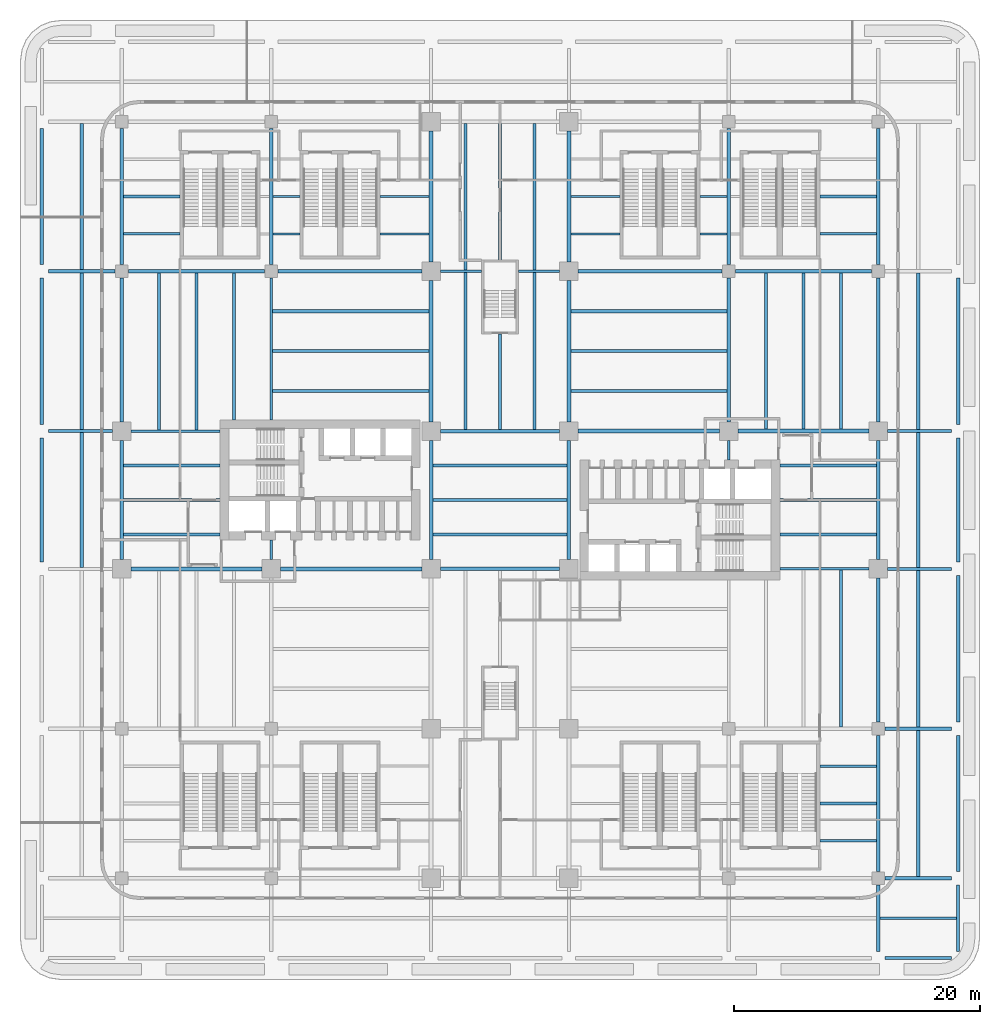
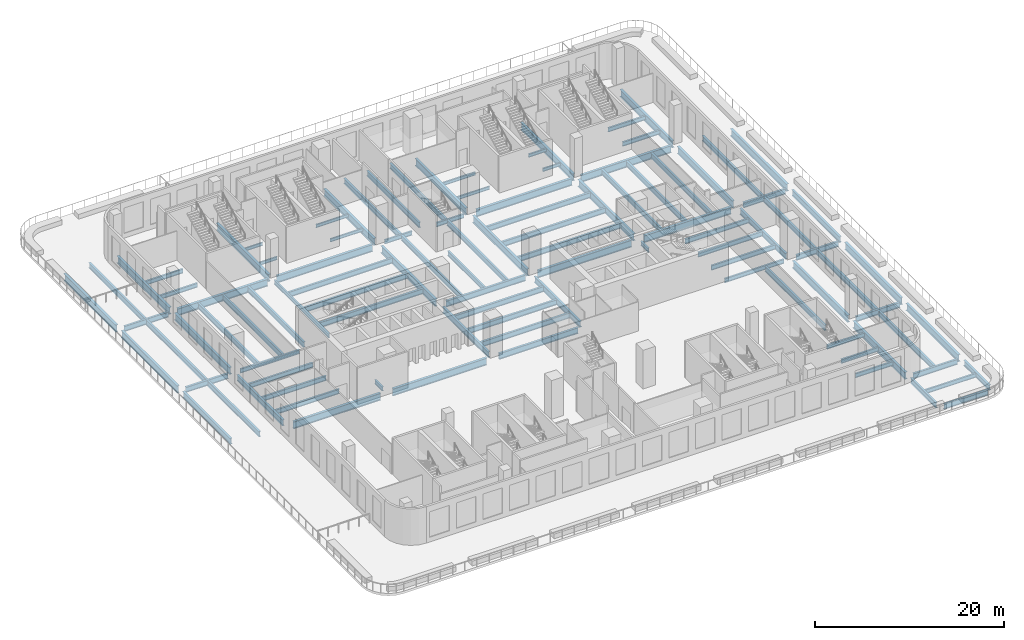
# One storey, part 2 of 17: 101 beams.
"""IFC4 building model written with IfcOpenShell, lengths in metres."""

from ifc_helpers import new_model, si_unit, direction, frame, origin, origin_2d, place, context, subcontext, project, spatial, i_section, extrude, source, transform, mapped, material, material_profile, profile_set, type_object, element, save


model = new_model("IFC4")

# Units and contexts
model_context = context("Model", 3, precision=1e-05, world=origin(), true_north=direction((0.0, 1.0)))
body_context = subcontext(model_context, "Body", "Model", "MODEL_VIEW")
ifc_project = project(units=[si_unit("LENGTHUNIT", "METRE"), si_unit("AREAUNIT", "SQUARE_METRE"), si_unit("VOLUMEUNIT", "CUBIC_METRE"), si_unit("PLANEANGLEUNIT", "RADIAN"), si_unit("MASSUNIT", "GRAM", prefix="KILO")], contexts=[model_context])

# Site, building, storey
site_placement = place(None, origin())
site = spatial("IfcSite", under=ifc_project, at=site_placement, CompositionType="ELEMENT")
building_placement = place(site_placement, origin())
building = spatial("IfcBuilding", under=site, at=building_placement, Name="Trellis Farm Tower", CompositionType="ELEMENT")
storey_placement = place(building_placement, frame((0.0, 0.0, 24.0)))
storey = spatial("IfcBuildingStorey", under=building, at=storey_placement, Name="L04", CompositionType="ELEMENT", Elevation=24.0)

# Beams
ifc_material = material(Name="Steel S355", Category="steel")
ifc_material_profile_1 = material_profile(ifc_material, i_section(OverallWidth=0.253662109375, OverallDepth=0.68359375, WebThickness=0.012451171875, FlangeThickness=0.021728515625, FilletRadius=0.01513671875, at=origin_2d()), Name="UB 686x254x140")
ifc_profile_set_1 = profile_set([ifc_material_profile_1], Name="Steel S355")
beam_type_1 = type_object("IfcBeamType", Name="UB 686x254x140 joist", PredefinedType="JOIST", material=ifc_profile_set_1)
shared_shape_1 = source(origin(), body_context, "Body", "SweptSolid", [
    extrude(i_section(OverallWidth=0.253662109375, OverallDepth=0.68359375, WebThickness=0.012451171875, FlangeThickness=0.021728515625, FilletRadius=0.01513671875, at=origin_2d()), origin(), (0.0, 0.0, 1.0), 12.746337890625),
])
for number, where, z_axis, x_axis, name in (
    (1, (-34.0, 5.726806640625, -0.641845703125), (0.0, 1.0, 0.0), (-1.0, 0.0, 0.0), "Floor beam"),
    (2, (34.0, -18.47314453125, -0.641845703125), (0.0, 1.0, 0.0), (-1.0, 0.0, 0.0), "Floor beam"),
    (3, (34.0, 5.726806640625, -0.641845703125), (0.0, 1.0, 0.0), (-1.0, 0.0, 0.0), "Floor beam"),
):
    element("IfcBeam", number, at=place(storey_placement, frame(where, z_axis=z_axis, x_axis=x_axis)), inside=storey, type_object=beam_type_1, Name=name, PredefinedType="JOIST", context=body_context, shape_type="MappedRepresentation", body=[
        mapped(shared_shape_1, transform((0.0, 0.0, 0.0))),
    ])
shared_shape_2 = source(origin(), body_context, "Body", "SweptSolid", [
    extrude(i_section(OverallWidth=0.253662109375, OverallDepth=0.68359375, WebThickness=0.012451171875, FlangeThickness=0.021728515625, FilletRadius=0.01513671875, at=origin_2d()), origin(), (0.0, 0.0, 1.0), 11.896240234375),
])
for number, where, z_axis, x_axis, name in (
    (4, (-34.0, 18.726806640625, -0.641845703125), (0.0, 1.0, 0.0), (-1.0, 0.0, 0.0), "Floor beam"),
    (5, (34.0, -30.623046875, -0.641845703125), (0.0, 1.0, 0.0), (-1.0, 0.0, 0.0), "Floor beam"),
):
    element("IfcBeam", number, at=place(storey_placement, frame(where, z_axis=z_axis, x_axis=x_axis)), inside=storey, type_object=beam_type_1, Name=name, PredefinedType="JOIST", context=body_context, shape_type="MappedRepresentation", body=[
        mapped(shared_shape_2, transform((0.0, 0.0, 0.0))),
    ])
ifc_material_profile_2 = material_profile(ifc_material, i_section(OverallWidth=0.209228515625, OverallDepth=0.533203125, WebThickness=0.010009765625, FlangeThickness=0.015625, FilletRadius=0.0126953125, at=origin_2d()), Name="UB 533x210x92")
ifc_profile_set_2 = profile_set([ifc_material_profile_2], Name="Steel S355")
beam_type_2 = type_object("IfcBeamType", Name="UB 533x210x92 joist", PredefinedType="JOIST", material=ifc_profile_set_2)
shared_shape_3 = source(origin(), body_context, "Body", "SweptSolid", [
    extrude(i_section(OverallWidth=0.209228515625, OverallDepth=0.533203125, WebThickness=0.010009765625, FlangeThickness=0.015625, FilletRadius=0.0126953125, at=origin_2d()), origin(), (0.0, 0.0, 1.0), 6.246337890625),
])
beam_1_placement = place(storey_placement, frame((30.876953125, -34.0, -0.56640625), z_axis=(1.0, 0.0, 0.0), x_axis=(0.0, 1.0, 0.0)))
element("IfcBeam", 6, at=beam_1_placement, inside=storey, type_object=beam_type_2, Name="Floor beam", PredefinedType="JOIST", context=body_context, shape_type="MappedRepresentation", body=[
    mapped(shared_shape_3, transform((0.0, 0.0, 0.0))),
])
shared_shape_4 = source(origin(), body_context, "Body", "SweptSolid", [
    extrude(i_section(OverallWidth=0.253662109375, OverallDepth=0.68359375, WebThickness=0.012451171875, FlangeThickness=0.021728515625, FilletRadius=0.01513671875, at=origin_2d()), origin(), (0.0, 0.0, 1.0), 10.9462890625),
])
for number, where, z_axis, x_axis, name in (
    (7, (-34.0, -5.47314453125, -0.641845703125), (0.0, 1.0, 0.0), (-1.0, 0.0, 0.0), "Floor beam"),
    (8, (34.0, -5.47314453125, -0.641845703125), (0.0, 1.0, 0.0), (-1.0, 0.0, 0.0), "Floor beam"),
):
    element("IfcBeam", number, at=place(storey_placement, frame(where, z_axis=z_axis, x_axis=x_axis)), inside=storey, type_object=beam_type_1, Name=name, PredefinedType="JOIST", context=body_context, shape_type="MappedRepresentation", body=[
        mapped(shared_shape_4, transform((0.0, 0.0, 0.0))),
    ])
shared_shape_5 = source(origin(), body_context, "Body", "SweptSolid", [
    extrude(i_section(OverallWidth=0.253662109375, OverallDepth=0.68359375, WebThickness=0.012451171875, FlangeThickness=0.021728515625, FilletRadius=0.01513671875, at=origin_2d()), origin(), (0.0, 0.0, 1.0), 12.694580078125),
])
for number, where, z_axis, x_axis, name in (
    (9, (5.752685546875, 8.85009765625, -0.641845703125), (1.0, 0.0, 0.0), (0.0, 1.0, 0.0), "Floor beam"),
    (10, (5.752685546875, 12.10009765625, -0.641845703125), (1.0, 0.0, 0.0), (0.0, 1.0, 0.0), "Floor beam"),
    (11, (5.752685546875, 15.35009765625, -0.641845703125), (1.0, 0.0, 0.0), (0.0, 1.0, 0.0), "Floor beam"),
    (12, (21.637451171875, 5.752685546875, -0.641845703125), (0.0, 1.0, 0.0), (-1.0, 0.0, 0.0), "Floor beam"),
    (13, (24.675048828125, 5.752685546875, -0.641845703125), (0.0, 1.0, 0.0), (-1.0, 0.0, 0.0), "Floor beam"),
    (14, (27.71240234375, 5.752685546875, -0.641845703125), (0.0, 1.0, 0.0), (-1.0, 0.0, 0.0), "Floor beam"),
):
    element("IfcBeam", number, at=place(storey_placement, frame(where, z_axis=z_axis, x_axis=x_axis)), inside=storey, type_object=beam_type_1, Name=name, PredefinedType="JOIST", context=body_context, shape_type="MappedRepresentation", body=[
        mapped(shared_shape_5, transform((0.0, 0.0, 0.0))),
    ])
ifc_material_profile_3 = material_profile(ifc_material, i_section(OverallWidth=0.2275390625, OverallDepth=0.6025390625, WebThickness=0.010498046875, FlangeThickness=0.014892578125, FilletRadius=0.0126953125, at=origin_2d()), Name="UB 610x229x101")
ifc_profile_set_3 = profile_set([ifc_material_profile_3], Name="Steel S355")
beam_type_3 = type_object("IfcBeamType", Name="UB 610x229x101 joist", PredefinedType="JOIST", material=ifc_profile_set_3)
shared_shape_6 = source(origin(), body_context, "Body", "SweptSolid", [
    extrude(i_section(OverallWidth=0.2275390625, OverallDepth=0.6025390625, WebThickness=0.010498046875, FlangeThickness=0.014892578125, FilletRadius=0.0126953125, at=origin_2d()), origin(), (0.0, 0.0, 1.0), 7.86669921875),
])
for number, where, z_axis, x_axis, name in (
    (15, (-30.61669921875, -2.800048828125, -0.601318359375), (1.0, 0.0, 0.0), (0.0, 1.0, 0.0), "Floor beam"),
    (16, (22.75, -2.800048828125, -0.601318359375), (1.0, 0.0, 0.0), (0.0, 1.0, 0.0), "Floor beam"),
    (17, (-30.61669921875, 0.0, -0.601318359375), (1.0, 0.0, 0.0), (0.0, 1.0, 0.0), "Floor beam"),
    (18, (22.75, 0.0, -0.601318359375), (1.0, 0.0, 0.0), (0.0, 1.0, 0.0), "Floor beam"),
    (19, (-30.61669921875, 2.800048828125, -0.601318359375), (1.0, 0.0, 0.0), (0.0, 1.0, 0.0), "Floor beam"),
    (20, (22.75, 2.800048828125, -0.601318359375), (1.0, 0.0, 0.0), (0.0, 1.0, 0.0), "Floor beam"),
):
    element("IfcBeam", number, at=place(storey_placement, frame(where, z_axis=z_axis, x_axis=x_axis)), inside=storey, type_object=beam_type_3, Name=name, PredefinedType="JOIST", context=body_context, shape_type="MappedRepresentation", body=[
        mapped(shared_shape_6, transform((0.0, 0.0, 0.0))),
    ])
shared_shape_7 = source(origin(), body_context, "Body", "SweptSolid", [
    extrude(i_section(OverallWidth=0.253662109375, OverallDepth=0.68359375, WebThickness=0.012451171875, FlangeThickness=0.021728515625, FilletRadius=0.01513671875, at=origin_2d()), origin(), (0.0, 0.0, 1.0), 10.93310546875),
])
for number, where, z_axis, x_axis, name in (
    (21, (-5.466552734375, -2.800048828125, -0.641845703125), (1.0, 0.0, 0.0), (0.0, 1.0, 0.0), "Floor beam"),
    (22, (-5.466552734375, 0.0, -0.641845703125), (1.0, 0.0, 0.0), (0.0, 1.0, 0.0), "Floor beam"),
    (23, (-5.466552734375, 2.800048828125, -0.641845703125), (1.0, 0.0, 0.0), (0.0, 1.0, 0.0), "Floor beam"),
):
    element("IfcBeam", number, at=place(storey_placement, frame(where, z_axis=z_axis, x_axis=x_axis)), inside=storey, type_object=beam_type_1, Name=name, PredefinedType="JOIST", context=body_context, shape_type="MappedRepresentation", body=[
        mapped(shared_shape_7, transform((0.0, 0.0, 0.0))),
    ])
shared_shape_8 = source(origin(), body_context, "Body", "SweptSolid", [
    extrude(i_section(OverallWidth=0.2275390625, OverallDepth=0.6025390625, WebThickness=0.010498046875, FlangeThickness=0.014892578125, FilletRadius=0.0126953125, at=origin_2d()), origin(), (0.0, 0.0, 1.0), 7.7666015625),
])
beam_2_placement = place(storey_placement, frame((0.0, 5.7333984375, -0.601318359375), z_axis=(0.0, 1.0, 0.0), x_axis=(-1.0, 0.0, 0.0)))
element("IfcBeam", 24, at=beam_2_placement, inside=storey, type_object=beam_type_3, Name="Floor beam", PredefinedType="JOIST", context=body_context, shape_type="MappedRepresentation", body=[
    mapped(shared_shape_8, transform((0.0, 0.0, 0.0))),
])
shared_shape_9 = source(origin(), body_context, "Body", "SweptSolid", [
    extrude(i_section(OverallWidth=0.253662109375, OverallDepth=0.68359375, WebThickness=0.012451171875, FlangeThickness=0.021728515625, FilletRadius=0.01513671875, at=origin_2d()), origin(), (0.0, 0.0, 1.0), 11.11669921875),
])
beam_3_placement = place(storey_placement, frame((0.0, 19.5, -0.641845703125), z_axis=(0.0, 1.0, 0.0), x_axis=(-1.0, 0.0, 0.0)))
element("IfcBeam", 25, at=beam_3_placement, inside=storey, type_object=beam_type_1, Name="Floor beam", PredefinedType="JOIST", context=body_context, shape_type="MappedRepresentation", body=[
    mapped(shared_shape_9, transform((0.0, 0.0, 0.0))),
])
ifc_material_profile_4 = material_profile(ifc_material, i_section(OverallWidth=0.305419921875, OverallDepth=0.91845703125, WebThickness=0.017333984375, FlangeThickness=0.02783203125, FilletRadius=0.01904296875, at=origin_2d()), Name="UB 914x305x253")
ifc_profile_set_4 = profile_set([ifc_material_profile_4], Name="Steel S355")
beam_type_4 = type_object("IfcBeamType", Name="UB 914x305x253", PredefinedType="BEAM", material=ifc_profile_set_4)
shared_shape_10 = source(origin(), body_context, "Body", "SweptSolid", [
    extrude(i_section(OverallWidth=0.305419921875, OverallDepth=0.91845703125, WebThickness=0.017333984375, FlangeThickness=0.02783203125, FilletRadius=0.01904296875, at=origin_2d()), origin(), (0.0, 0.0, 1.0), 11.900146484375),
])
for number, where, z_axis, x_axis, name in (
    (26, (-37.25, 6.14990234375, -0.75927734375), (0.0, 1.0, 0.0), (-1.0, 0.0, 0.0), "Girder"),
    (27, (37.25, -18.050048828125, -0.75927734375), (0.0, 1.0, 0.0), (-1.0, 0.0, 0.0), "Girder"),
    (28, (37.25, 6.14990234375, -0.75927734375), (0.0, 1.0, 0.0), (-1.0, 0.0, 0.0), "Girder"),
):
    element("IfcBeam", number, at=place(storey_placement, frame(where, z_axis=z_axis, x_axis=x_axis)), inside=storey, type_object=beam_type_4, Name=name, PredefinedType="BEAM", context=body_context, shape_type="MappedRepresentation", body=[
        mapped(shared_shape_10, transform((0.0, 0.0, 0.0))),
    ])
shared_shape_11 = source(origin(), body_context, "Body", "SweptSolid", [
    extrude(i_section(OverallWidth=0.305419921875, OverallDepth=0.91845703125, WebThickness=0.017333984375, FlangeThickness=0.02783203125, FilletRadius=0.01904296875, at=origin_2d()), origin(), (0.0, 0.0, 1.0), 11.050048828125),
])
for number, where, z_axis, x_axis, name in (
    (29, (-30.199951171875, 18.60009765625, -0.75927734375), (1.0, 0.0, 0.0), (0.0, 1.0, 0.0), "Girder"),
    (30, (19.14990234375, 18.60009765625, -0.75927734375), (1.0, 0.0, 0.0), (0.0, 1.0, 0.0), "Girder"),
    (31, (-37.25, 19.14990234375, -0.75927734375), (0.0, 1.0, 0.0), (-1.0, 0.0, 0.0), "Girder"),
    (32, (-30.75, 19.14990234375, -0.75927734375), (0.0, 1.0, 0.0), (-1.0, 0.0, 0.0), "Girder"),
    (33, (-18.60009765625, 19.14990234375, -0.75927734375), (0.0, 1.0, 0.0), (-1.0, 0.0, 0.0), "Girder"),
    (34, (18.60009765625, 19.14990234375, -0.75927734375), (0.0, 1.0, 0.0), (-1.0, 0.0, 0.0), "Girder"),
    (35, (30.75, -30.199951171875, -0.75927734375), (0.0, 1.0, 0.0), (-1.0, 0.0, 0.0), "Girder"),
    (36, (30.75, 19.14990234375, -0.75927734375), (0.0, 1.0, 0.0), (-1.0, 0.0, 0.0), "Girder"),
    (37, (37.25, -30.199951171875, -0.75927734375), (0.0, 1.0, 0.0), (-1.0, 0.0, 0.0), "Girder"),
):
    element("IfcBeam", number, at=place(storey_placement, frame(where, z_axis=z_axis, x_axis=x_axis)), inside=storey, type_object=beam_type_4, Name=name, PredefinedType="BEAM", context=body_context, shape_type="MappedRepresentation", body=[
        mapped(shared_shape_11, transform((0.0, 0.0, 0.0))),
    ])
ifc_material_profile_5 = material_profile(ifc_material, i_section(OverallWidth=0.253662109375, OverallDepth=0.68359375, WebThickness=0.012451171875, FlangeThickness=0.021728515625, FilletRadius=0.01513671875, at=origin_2d()), Name="UB 686x254x140")
ifc_profile_set_5 = profile_set([ifc_material_profile_5], Name="Steel S355")
beam_type_5 = type_object("IfcBeamType", Name="UB 686x254x140", PredefinedType="BEAM", material=ifc_profile_set_5)
shared_shape_12 = source(origin(), body_context, "Body", "SweptSolid", [
    extrude(i_section(OverallWidth=0.253662109375, OverallDepth=0.68359375, WebThickness=0.012451171875, FlangeThickness=0.021728515625, FilletRadius=0.01513671875, at=origin_2d()), origin(), (0.0, 0.0, 1.0), 5.39990234375),
])
for number, where, z_axis, x_axis, name in (
    (38, (31.300048828125, -37.25, -0.641845703125), (1.0, 0.0, 0.0), (0.0, 1.0, 0.0), "Girder"),
    (39, (31.300048828125, -30.75, -0.641845703125), (1.0, 0.0, 0.0), (0.0, 1.0, 0.0), "Girder"),
    (40, (31.300048828125, -18.60009765625, -0.641845703125), (1.0, 0.0, 0.0), (0.0, 1.0, 0.0), "Girder"),
    (41, (-36.699951171875, 18.60009765625, -0.641845703125), (1.0, 0.0, 0.0), (0.0, 1.0, 0.0), "Girder"),
    (42, (30.75, -36.699951171875, -0.641845703125), (0.0, 1.0, 0.0), (-1.0, 0.0, 0.0), "Girder"),
    (43, (37.25, -36.699951171875, -0.641845703125), (0.0, 1.0, 0.0), (-1.0, 0.0, 0.0), "Girder"),
):
    element("IfcBeam", number, at=place(storey_placement, frame(where, z_axis=z_axis, x_axis=x_axis)), inside=storey, type_object=beam_type_5, Name=name, PredefinedType="BEAM", context=body_context, shape_type="MappedRepresentation", body=[
        mapped(shared_shape_12, transform((0.0, 0.0, 0.0))),
    ])
ifc_material_profile_6 = material_profile(ifc_material, i_section(OverallWidth=0.2666015625, OverallDepth=0.76220703125, WebThickness=0.014404296875, FlangeThickness=0.021484375, FilletRadius=0.0166015625, at=origin_2d()), Name="UB 762x267x173")
ifc_profile_set_6 = profile_set([ifc_material_profile_6], Name="Steel S355")
beam_type_6 = type_object("IfcBeamType", Name="UB 762x267x173", PredefinedType="BEAM", material=ifc_profile_set_6)
shared_shape_13 = source(origin(), body_context, "Body", "SweptSolid", [
    extrude(i_section(OverallWidth=0.2666015625, OverallDepth=0.76220703125, WebThickness=0.014404296875, FlangeThickness=0.021484375, FilletRadius=0.0166015625, at=origin_2d()), origin(), (0.0, 0.0, 1.0), 10.10009765625),
])
for number, where, z_axis, x_axis, name in (
    (44, (-37.25, -5.050048828125, -0.68115234375), (0.0, 1.0, 0.0), (-1.0, 0.0, 0.0), "Girder"),
    (45, (37.25, -5.050048828125, -0.68115234375), (0.0, 1.0, 0.0), (-1.0, 0.0, 0.0), "Girder"),
):
    element("IfcBeam", number, at=place(storey_placement, frame(where, z_axis=z_axis, x_axis=x_axis)), inside=storey, type_object=beam_type_6, Name=name, PredefinedType="BEAM", context=body_context, shape_type="MappedRepresentation", body=[
        mapped(shared_shape_13, transform((0.0, 0.0, 0.0))),
    ])
ifc_material_profile_7 = material_profile(ifc_material, i_section(OverallWidth=0.209228515625, OverallDepth=0.533203125, WebThickness=0.010009765625, FlangeThickness=0.015625, FilletRadius=0.0126953125, at=origin_2d()), Name="UB 533x210x92")
ifc_profile_set_7 = profile_set([ifc_material_profile_7], Name="Steel S355")
beam_type_7 = type_object("IfcBeamType", Name="UB 533x210x92", PredefinedType="BEAM", material=ifc_profile_set_7)
shared_shape_14 = source(origin(), body_context, "Body", "SweptSolid", [
    extrude(i_section(OverallWidth=0.209228515625, OverallDepth=0.533203125, WebThickness=0.010009765625, FlangeThickness=0.015625, FilletRadius=0.0126953125, at=origin_2d()), origin(), (0.0, 0.0, 1.0), 11.550048828125),
])
beam_4_placement = place(storey_placement, frame((-18.60009765625, 6.5, -0.56640625), z_axis=(0.0, 1.0, 0.0), x_axis=(-1.0, 0.0, 0.0)))
element("IfcBeam", 46, at=beam_4_placement, inside=storey, type_object=beam_type_7, Name="Girder", PredefinedType="BEAM", context=body_context, shape_type="MappedRepresentation", body=[
    mapped(shared_shape_14, transform((0.0, 0.0, 0.0))),
])
ifc_material_profile_8 = material_profile(ifc_material, i_section(OverallWidth=0.177978515625, OverallDepth=0.406494140625, WebThickness=0.0078125, FlangeThickness=0.0126953125, FilletRadius=0.01025390625, at=origin_2d()), Name="UB 406x178x60")
ifc_profile_set_8 = profile_set([ifc_material_profile_8], Name="Steel S355")
beam_type_8 = type_object("IfcBeamType", Name="UB 406x178x60 joist", PredefinedType="JOIST", material=ifc_profile_set_8)
shared_shape_15 = source(origin(), body_context, "Body", "SweptSolid", [
    extrude(i_section(OverallWidth=0.177978515625, OverallDepth=0.406494140625, WebThickness=0.0078125, FlangeThickness=0.0126953125, FilletRadius=0.01025390625, at=origin_2d()), origin(), (0.0, 0.0, 1.0), 2.197265625),
])
for number, where, z_axis, x_axis, name in (
    (47, (-18.447265625, 21.637451171875, -0.503173828125), (1.0, 0.0, 0.0), (0.0, 1.0, 0.0), "Floor beam"),
    (48, (16.25, 21.637451171875, -0.503173828125), (1.0, 0.0, 0.0), (0.0, 1.0, 0.0), "Floor beam"),
    (49, (-18.447265625, 24.675048828125, -0.503173828125), (1.0, 0.0, 0.0), (0.0, 1.0, 0.0), "Floor beam"),
    (50, (16.25, 24.675048828125, -0.503173828125), (1.0, 0.0, 0.0), (0.0, 1.0, 0.0), "Floor beam"),
):
    element("IfcBeam", number, at=place(storey_placement, frame(where, z_axis=z_axis, x_axis=x_axis)), inside=storey, type_object=beam_type_8, Name=name, PredefinedType="JOIST", context=body_context, shape_type="MappedRepresentation", body=[
        mapped(shared_shape_15, transform((0.0, 0.0, 0.0))),
    ])
shared_shape_16 = source(origin(), body_context, "Body", "SweptSolid", [
    extrude(i_section(OverallWidth=0.209228515625, OverallDepth=0.533203125, WebThickness=0.010009765625, FlangeThickness=0.015625, FilletRadius=0.0126953125, at=origin_2d()), origin(), (0.0, 0.0, 1.0), 4.59716796875),
])
for number, where, z_axis, x_axis, name in (
    (51, (26.0, -27.71240234375, -0.56640625), (1.0, 0.0, 0.0), (0.0, 1.0, 0.0), "Floor beam"),
    (52, (26.0, -24.675048828125, -0.56640625), (1.0, 0.0, 0.0), (0.0, 1.0, 0.0), "Floor beam"),
    (53, (26.0, -21.637451171875, -0.56640625), (1.0, 0.0, 0.0), (0.0, 1.0, 0.0), "Floor beam"),
    (54, (-30.59716796875, 21.637451171875, -0.56640625), (1.0, 0.0, 0.0), (0.0, 1.0, 0.0), "Floor beam"),
    (55, (26.0, 21.637451171875, -0.56640625), (1.0, 0.0, 0.0), (0.0, 1.0, 0.0), "Floor beam"),
    (56, (-30.59716796875, 24.675048828125, -0.56640625), (1.0, 0.0, 0.0), (0.0, 1.0, 0.0), "Floor beam"),
    (57, (26.0, 24.675048828125, -0.56640625), (1.0, 0.0, 0.0), (0.0, 1.0, 0.0), "Floor beam"),
):
    element("IfcBeam", number, at=place(storey_placement, frame(where, z_axis=z_axis, x_axis=x_axis)), inside=storey, type_object=beam_type_2, Name=name, PredefinedType="JOIST", context=body_context, shape_type="MappedRepresentation", body=[
        mapped(shared_shape_16, transform((0.0, 0.0, 0.0))),
    ])
shared_shape_17 = source(origin(), body_context, "Body", "SweptSolid", [
    extrude(i_section(OverallWidth=0.253662109375, OverallDepth=0.68359375, WebThickness=0.012451171875, FlangeThickness=0.021728515625, FilletRadius=0.01513671875, at=origin_2d()), origin(), (0.0, 0.0, 1.0), 12.74267578125),
])
for number, where, z_axis, x_axis, name in (
    (58, (-18.495361328125, 8.85009765625, -0.641845703125), (1.0, 0.0, 0.0), (0.0, 1.0, 0.0), "Floor beam"),
    (59, (-18.495361328125, 12.10009765625, -0.641845703125), (1.0, 0.0, 0.0), (0.0, 1.0, 0.0), "Floor beam"),
    (60, (-18.495361328125, 15.35009765625, -0.641845703125), (1.0, 0.0, 0.0), (0.0, 1.0, 0.0), "Floor beam"),
    (61, (-27.71240234375, 5.70458984375, -0.641845703125), (0.0, 1.0, 0.0), (-1.0, 0.0, 0.0), "Floor beam"),
    (62, (-24.675048828125, 5.70458984375, -0.641845703125), (0.0, 1.0, 0.0), (-1.0, 0.0, 0.0), "Floor beam"),
    (63, (27.71240234375, -18.447265625, -0.641845703125), (0.0, 1.0, 0.0), (-1.0, 0.0, 0.0), "Floor beam"),
):
    element("IfcBeam", number, at=place(storey_placement, frame(where, z_axis=z_axis, x_axis=x_axis)), inside=storey, type_object=beam_type_1, Name=name, PredefinedType="JOIST", context=body_context, shape_type="MappedRepresentation", body=[
        mapped(shared_shape_17, transform((0.0, 0.0, 0.0))),
    ])
shared_shape_18 = source(origin(), body_context, "Body", "SweptSolid", [
    extrude(i_section(OverallWidth=0.253662109375, OverallDepth=0.68359375, WebThickness=0.012451171875, FlangeThickness=0.021728515625, FilletRadius=0.01513671875, at=origin_2d()), origin(), (0.0, 0.0, 1.0), 12.761962890625),
])
for number, where, z_axis, x_axis, name in (
    (64, (-2.800048828125, 5.7333984375, -0.641845703125), (0.0, 1.0, 0.0), (-1.0, 0.0, 0.0), "Floor beam"),
    (65, (2.800048828125, 5.7333984375, -0.641845703125), (0.0, 1.0, 0.0), (-1.0, 0.0, 0.0), "Floor beam"),
):
    element("IfcBeam", number, at=place(storey_placement, frame(where, z_axis=z_axis, x_axis=x_axis)), inside=storey, type_object=beam_type_1, Name=name, PredefinedType="JOIST", context=body_context, shape_type="MappedRepresentation", body=[
        mapped(shared_shape_18, transform((0.0, 0.0, 0.0))),
    ])
shared_shape_19 = source(origin(), body_context, "Body", "SweptSolid", [
    extrude(i_section(OverallWidth=0.253662109375, OverallDepth=0.68359375, WebThickness=0.012451171875, FlangeThickness=0.021728515625, FilletRadius=0.01513671875, at=origin_2d()), origin(), (0.0, 0.0, 1.0), 11.912109375),
])
for number, where, z_axis, x_axis, name in (
    (66, (-2.800048828125, 18.70458984375, -0.641845703125), (0.0, 1.0, 0.0), (-1.0, 0.0, 0.0), "Floor beam"),
    (67, (2.800048828125, 18.70458984375, -0.641845703125), (0.0, 1.0, 0.0), (-1.0, 0.0, 0.0), "Floor beam"),
):
    element("IfcBeam", number, at=place(storey_placement, frame(where, z_axis=z_axis, x_axis=x_axis)), inside=storey, type_object=beam_type_1, Name=name, PredefinedType="JOIST", context=body_context, shape_type="MappedRepresentation", body=[
        mapped(shared_shape_19, transform((0.0, 0.0, 0.0))),
    ])
shared_shape_20 = source(origin(), body_context, "Body", "SweptSolid", [
    extrude(i_section(OverallWidth=0.253662109375, OverallDepth=0.68359375, WebThickness=0.012451171875, FlangeThickness=0.021728515625, FilletRadius=0.01513671875, at=origin_2d()), origin(), (0.0, 0.0, 1.0), 11.947265625),
])
beam_5_placement = place(storey_placement, frame((-21.637451171875, 6.5, -0.641845703125), z_axis=(0.0, 1.0, 0.0), x_axis=(-1.0, 0.0, 0.0)))
element("IfcBeam", 68, at=beam_5_placement, inside=storey, type_object=beam_type_1, Name="Floor beam", PredefinedType="JOIST", context=body_context, shape_type="MappedRepresentation", body=[
    mapped(shared_shape_20, transform((0.0, 0.0, 0.0))),
])
shared_shape_21 = source(origin(), body_context, "Body", "SweptSolid", [
    extrude(i_section(OverallWidth=0.305419921875, OverallDepth=0.91845703125, WebThickness=0.017333984375, FlangeThickness=0.02783203125, FilletRadius=0.01904296875, at=origin_2d()), origin(), (0.0, 0.0, 1.0), 11.699951171875),
])
for number, where, z_axis, x_axis, name in (
    (69, (-18.050048828125, 18.60009765625, -0.75927734375), (1.0, 0.0, 0.0), (0.0, 1.0, 0.0), "Girder"),
    (70, (6.35009765625, 18.60009765625, -0.75927734375), (1.0, 0.0, 0.0), (0.0, 1.0, 0.0), "Girder"),
    (71, (-30.75, 6.35009765625, -0.75927734375), (0.0, 1.0, 0.0), (-1.0, 0.0, 0.0), "Girder"),
    (72, (18.60009765625, 6.35009765625, -0.75927734375), (0.0, 1.0, 0.0), (-1.0, 0.0, 0.0), "Girder"),
    (73, (30.75, -18.050048828125, -0.75927734375), (0.0, 1.0, 0.0), (-1.0, 0.0, 0.0), "Girder"),
    (74, (30.75, 6.35009765625, -0.75927734375), (0.0, 1.0, 0.0), (-1.0, 0.0, 0.0), "Girder"),
):
    element("IfcBeam", number, at=place(storey_placement, frame(where, z_axis=z_axis, x_axis=x_axis)), inside=storey, type_object=beam_type_4, Name=name, PredefinedType="BEAM", context=body_context, shape_type="MappedRepresentation", body=[
        mapped(shared_shape_21, transform((0.0, 0.0, 0.0))),
    ])
shared_shape_22 = source(origin(), body_context, "Body", "SweptSolid", [
    extrude(i_section(OverallWidth=0.209228515625, OverallDepth=0.533203125, WebThickness=0.010009765625, FlangeThickness=0.015625, FilletRadius=0.0126953125, at=origin_2d()), origin(), (0.0, 0.0, 1.0), 3.35009765625),
])
for number, where, z_axis, x_axis, name in (
    (75, (-4.85009765625, 18.60009765625, -0.56640625), (1.0, 0.0, 0.0), (0.0, 1.0, 0.0), "Girder"),
    (76, (1.5, 18.60009765625, -0.56640625), (1.0, 0.0, 0.0), (0.0, 1.0, 0.0), "Girder"),
):
    element("IfcBeam", number, at=place(storey_placement, frame(where, z_axis=z_axis, x_axis=x_axis)), inside=storey, type_object=beam_type_7, Name=name, PredefinedType="BEAM", context=body_context, shape_type="MappedRepresentation", body=[
        mapped(shared_shape_22, transform((0.0, 0.0, 0.0))),
    ])
shared_shape_23 = source(origin(), body_context, "Body", "SweptSolid", [
    extrude(i_section(OverallWidth=0.2666015625, OverallDepth=0.76220703125, WebThickness=0.014404296875, FlangeThickness=0.021484375, FilletRadius=0.0166015625, at=origin_2d()), origin(), (0.0, 0.0, 1.0), 9.7001953125),
])
for number, where, z_axis, x_axis, name in (
    (77, (-4.85009765625, -5.60009765625, -0.68115234375), (1.0, 0.0, 0.0), (0.0, 1.0, 0.0), "Girder"),
    (78, (-4.85009765625, 5.60009765625, -0.68115234375), (1.0, 0.0, 0.0), (0.0, 1.0, 0.0), "Girder"),
    (79, (-30.75, -4.85009765625, -0.68115234375), (0.0, 1.0, 0.0), (-1.0, 0.0, 0.0), "Girder"),
    (80, (-5.60009765625, -4.85009765625, -0.68115234375), (0.0, 1.0, 0.0), (-1.0, 0.0, 0.0), "Girder"),
    (81, (5.60009765625, -4.85009765625, -0.68115234375), (0.0, 1.0, 0.0), (-1.0, 0.0, 0.0), "Girder"),
    (82, (30.75, -4.85009765625, -0.68115234375), (0.0, 1.0, 0.0), (-1.0, 0.0, 0.0), "Girder"),
):
    element("IfcBeam", number, at=place(storey_placement, frame(where, z_axis=z_axis, x_axis=x_axis)), inside=storey, type_object=beam_type_6, Name=name, PredefinedType="BEAM", context=body_context, shape_type="MappedRepresentation", body=[
        mapped(shared_shape_23, transform((0.0, 0.0, 0.0))),
    ])
shared_shape_24 = source(origin(), body_context, "Body", "SweptSolid", [
    extrude(i_section(OverallWidth=0.253662109375, OverallDepth=0.68359375, WebThickness=0.012451171875, FlangeThickness=0.021728515625, FilletRadius=0.01513671875, at=origin_2d()), origin(), (0.0, 0.0, 1.0), 5.199951171875),
])
for number, where, z_axis, x_axis, name in (
    (83, (31.5, -5.60009765625, -0.641845703125), (1.0, 0.0, 0.0), (0.0, 1.0, 0.0), "Girder"),
    (84, (-36.699951171875, 5.60009765625, -0.641845703125), (1.0, 0.0, 0.0), (0.0, 1.0, 0.0), "Girder"),
    (85, (31.5, 5.60009765625, -0.641845703125), (1.0, 0.0, 0.0), (0.0, 1.0, 0.0), "Girder"),
):
    element("IfcBeam", number, at=place(storey_placement, frame(where, z_axis=z_axis, x_axis=x_axis)), inside=storey, type_object=beam_type_5, Name=name, PredefinedType="BEAM", context=body_context, shape_type="MappedRepresentation", body=[
        mapped(shared_shape_24, transform((0.0, 0.0, 0.0))),
    ])
shared_shape_25 = source(origin(), body_context, "Body", "SweptSolid", [
    extrude(i_section(OverallWidth=0.209228515625, OverallDepth=0.533203125, WebThickness=0.010009765625, FlangeThickness=0.015625, FilletRadius=0.0126953125, at=origin_2d()), origin(), (0.0, 0.0, 1.0), 7.25),
])
for number, where, z_axis, x_axis, name in (
    (86, (22.75, -5.60009765625, -0.56640625), (1.0, 0.0, 0.0), (0.0, 1.0, 0.0), "Girder"),
    (87, (-30.0, 5.60009765625, -0.56640625), (1.0, 0.0, 0.0), (0.0, 1.0, 0.0), "Girder"),
):
    element("IfcBeam", number, at=place(storey_placement, frame(where, z_axis=z_axis, x_axis=x_axis)), inside=storey, type_object=beam_type_7, Name=name, PredefinedType="BEAM", context=body_context, shape_type="MappedRepresentation", body=[
        mapped(shared_shape_25, transform((0.0, 0.0, 0.0))),
    ])
shared_shape_26 = source(origin(), body_context, "Body", "SweptSolid", [
    extrude(i_section(OverallWidth=0.305419921875, OverallDepth=0.91845703125, WebThickness=0.017333984375, FlangeThickness=0.02783203125, FilletRadius=0.01904296875, at=origin_2d()), origin(), (0.0, 0.0, 1.0), 11.5),
])
for number, where, z_axis, x_axis, name in (
    (88, (-17.85009765625, -5.60009765625, -0.75927734375), (1.0, 0.0, 0.0), (0.0, 1.0, 0.0), "Girder"),
    (89, (6.35009765625, 5.60009765625, -0.75927734375), (1.0, 0.0, 0.0), (0.0, 1.0, 0.0), "Girder"),
    (90, (-5.60009765625, 6.35009765625, -0.75927734375), (0.0, 1.0, 0.0), (-1.0, 0.0, 0.0), "Girder"),
    (91, (5.60009765625, 6.35009765625, -0.75927734375), (0.0, 1.0, 0.0), (-1.0, 0.0, 0.0), "Girder"),
):
    element("IfcBeam", number, at=place(storey_placement, frame(where, z_axis=z_axis, x_axis=x_axis)), inside=storey, type_object=beam_type_4, Name=name, PredefinedType="BEAM", context=body_context, shape_type="MappedRepresentation", body=[
        mapped(shared_shape_26, transform((0.0, 0.0, 0.0))),
    ])
shared_shape_27 = source(origin(), body_context, "Body", "SweptSolid", [
    extrude(i_section(OverallWidth=0.305419921875, OverallDepth=0.91845703125, WebThickness=0.017333984375, FlangeThickness=0.02783203125, FilletRadius=0.01904296875, at=origin_2d()), origin(), (0.0, 0.0, 1.0), 10.64990234375),
])
for number, where, z_axis, x_axis, name in (
    (92, (-30.0, -5.60009765625, -0.75927734375), (1.0, 0.0, 0.0), (0.0, 1.0, 0.0), "Girder"),
    (93, (19.35009765625, 5.60009765625, -0.75927734375), (1.0, 0.0, 0.0), (0.0, 1.0, 0.0), "Girder"),
    (94, (-5.60009765625, 19.35009765625, -0.75927734375), (0.0, 1.0, 0.0), (-1.0, 0.0, 0.0), "Girder"),
    (95, (5.60009765625, 19.35009765625, -0.75927734375), (0.0, 1.0, 0.0), (-1.0, 0.0, 0.0), "Girder"),
):
    element("IfcBeam", number, at=place(storey_placement, frame(where, z_axis=z_axis, x_axis=x_axis)), inside=storey, type_object=beam_type_4, Name=name, PredefinedType="BEAM", context=body_context, shape_type="MappedRepresentation", body=[
        mapped(shared_shape_27, transform((0.0, 0.0, 0.0))),
    ])
shared_shape_28 = source(origin(), body_context, "Body", "SweptSolid", [
    extrude(i_section(OverallWidth=0.209228515625, OverallDepth=0.533203125, WebThickness=0.010009765625, FlangeThickness=0.015625, FilletRadius=0.0126953125, at=origin_2d()), origin(), (0.0, 0.0, 1.0), 1.60009765625),
])
for number, where, z_axis, x_axis, name in (
    (96, (-18.60009765625, -4.85009765625, -0.56640625), (0.0, 1.0, 0.0), (-1.0, 0.0, 0.0), "Girder"),
    (97, (18.60009765625, 3.25, -0.56640625), (0.0, 1.0, 0.0), (-1.0, 0.0, 0.0), "Girder"),
):
    element("IfcBeam", number, at=place(storey_placement, frame(where, z_axis=z_axis, x_axis=x_axis)), inside=storey, type_object=beam_type_7, Name=name, PredefinedType="BEAM", context=body_context, shape_type="MappedRepresentation", body=[
        mapped(shared_shape_28, transform((0.0, 0.0, 0.0))),
    ])
shared_shape_29 = source(origin(), body_context, "Body", "SweptSolid", [
    extrude(i_section(OverallWidth=0.177978515625, OverallDepth=0.406494140625, WebThickness=0.0078125, FlangeThickness=0.0126953125, FilletRadius=0.01025390625, at=origin_2d()), origin(), (0.0, 0.0, 1.0), 3.997314453125),
])
for number, where, z_axis, x_axis, name in (
    (98, (-9.75, 21.637451171875, -0.503173828125), (1.0, 0.0, 0.0), (0.0, 1.0, 0.0), "Floor beam"),
    (99, (5.752685546875, 21.637451171875, -0.503173828125), (1.0, 0.0, 0.0), (0.0, 1.0, 0.0), "Floor beam"),
    (100, (-9.75, 24.675048828125, -0.503173828125), (1.0, 0.0, 0.0), (0.0, 1.0, 0.0), "Floor beam"),
    (101, (5.752685546875, 24.675048828125, -0.503173828125), (1.0, 0.0, 0.0), (0.0, 1.0, 0.0), "Floor beam"),
):
    element("IfcBeam", number, at=place(storey_placement, frame(where, z_axis=z_axis, x_axis=x_axis)), inside=storey, type_object=beam_type_8, Name=name, PredefinedType="JOIST", context=body_context, shape_type="MappedRepresentation", body=[
        mapped(shared_shape_29, transform((0.0, 0.0, 0.0))),
    ])

save(model, "model.ifc")
